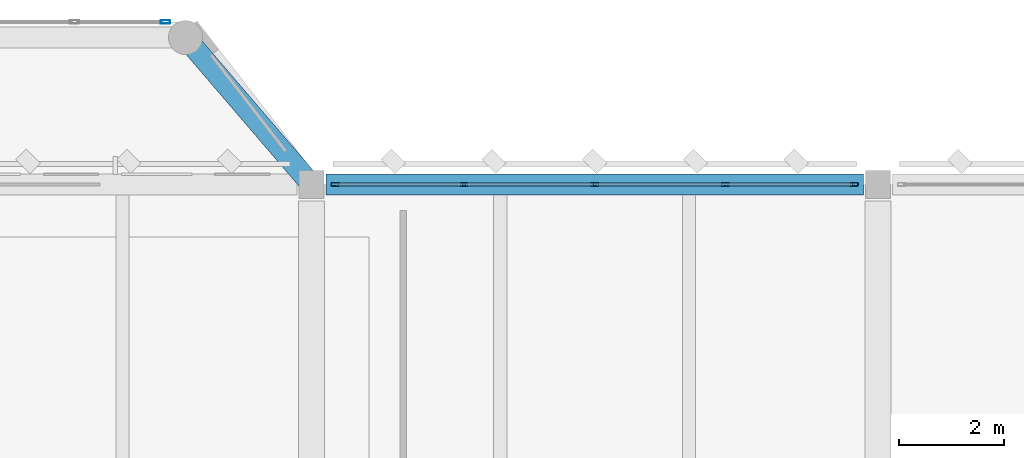
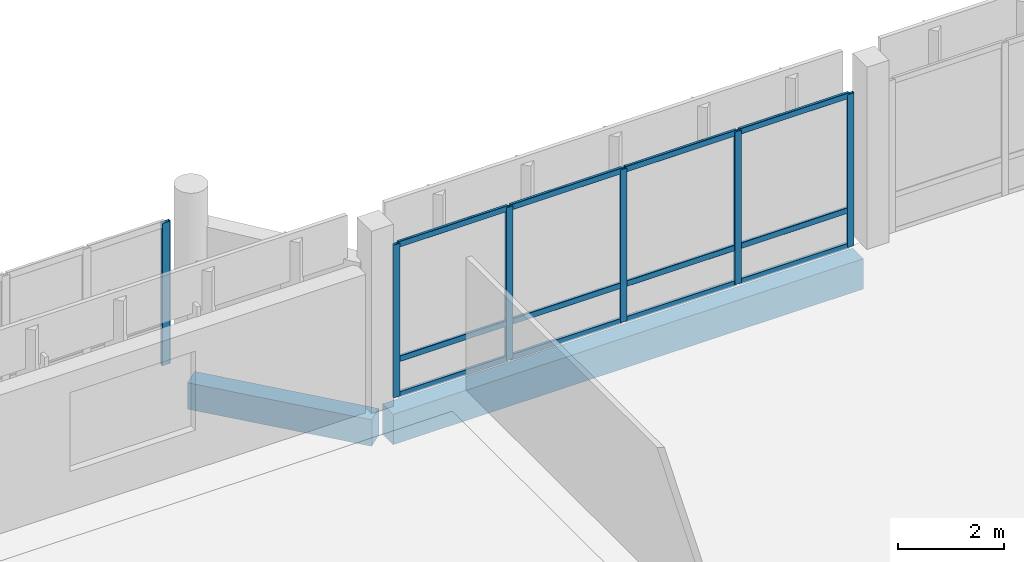
# One storey, part 28 of 72: 18 members, 2 beams, 2 elements without a shape of their own.
"""IFC4 building model written with IfcOpenShell, lengths in metres."""

from ifc_helpers import new_model, si_unit, direction, frame, origin, origin_2d, place, context, subcontext, project, spatial, rectangle, hollow_rectangle, extrude, material, material_profile, profile_set, type_object, element, aggregate, save


model = new_model("IFC4")

# Units and contexts
model_context = context("Model", 3, precision=1e-05, world=origin(), true_north=direction((0.0, 1.0)))
body_context = subcontext(model_context, "Body", "Model", "MODEL_VIEW")
ifc_project = project(units=[si_unit("LENGTHUNIT", "METRE"), si_unit("AREAUNIT", "SQUARE_METRE"), si_unit("VOLUMEUNIT", "CUBIC_METRE"), si_unit("PLANEANGLEUNIT", "RADIAN"), si_unit("MASSUNIT", "GRAM", prefix="KILO")], contexts=[model_context])

# Site, building, storey
site_placement = place(None, origin())
site = spatial("IfcSite", under=ifc_project, at=site_placement, CompositionType="ELEMENT")
building_placement = place(site_placement, origin())
building = spatial("IfcBuilding", under=site, at=building_placement, Name="Lusvemor Sports Hall", CompositionType="ELEMENT")
storey_placement = place(building_placement, frame((0.0, 0.0, 15.0)))
storey = spatial("IfcBuildingStorey", under=building, at=storey_placement, Name="L03", CompositionType="ELEMENT", Elevation=15.0)

# Curtain wall, member
ifc_material_1 = material(Name="Thermally broken bronze-anodized aluminium", Category="aluminium")
curtain_wall_type_1 = type_object("IfcCurtainWallType", Name="CW_FOYER_A", PredefinedType="NOTDEFINED", material=ifc_material_1)
curtain_wall_1_placement = place(storey_placement, origin())
curtain_wall_1 = element("IfcCurtainWall", 1, at=curtain_wall_1_placement, inside=storey, type_object=curtain_wall_type_1, Name="Curtain Wall CW-BOW-N1-L03-M", PredefinedType="NOTDEFINED")
ifc_material_2 = material(Name="Thermally broken bronze-anodized aluminium", Category="aluminium")
ifc_material_profile_1 = material_profile(ifc_material_2, hollow_rectangle(XDim=0.070068359375, YDim=0.179931640625, WallThickness=0.0048828125, InnerFilletRadius=0.0048828125, OuterFilletRadius=0.010009765625, at=origin_2d()), Name="CWMUL180x70x5")
ifc_profile_set_1 = profile_set([ifc_material_profile_1], Name="Thermally broken bronze-anodized aluminium")
member_type_1 = type_object("IfcMemberType", Name="CW_MUL_A", PredefinedType="MULLION", material=ifc_profile_set_1)
member_1_placement = place(storey_placement, frame((29.614990234375, 118.300048828125, 0.0), z_axis=(0.0, 0.0, 1.0), x_axis=(0.0, 1.0, 0.0)))
member_1 = element("IfcMember", 2, at=member_1_placement, type_object=member_type_1, Name="CW01 mullion 4", PredefinedType="MULLION", context=body_context, shape_type="SweptSolid", body=[
    extrude(hollow_rectangle(XDim=0.070068359375, YDim=0.179931640625, WallThickness=0.0048828125, InnerFilletRadius=0.0048828125, OuterFilletRadius=0.010009765625, at=origin_2d()), origin(), (0.0, 0.0, 1.0), 3.280029296875),
])
aggregate(curtain_wall_1, [member_1])

# Curtain wall, members
ifc_material_3 = material(Name="Thermally broken bronze-anodized aluminium", Category="aluminium")
curtain_wall_type_2 = type_object("IfcCurtainWallType", Name="CW_WING_B", PredefinedType="NOTDEFINED", material=ifc_material_3)
curtain_wall_2_placement = place(storey_placement, origin())
curtain_wall_2 = element("IfcCurtainWall", 3, at=curtain_wall_2_placement, inside=storey, type_object=curtain_wall_type_2, Name="Curtain Wall CW-L03-N-1-3", PredefinedType="NOTDEFINED")
ifc_material_4 = material(Name="Thermally broken bronze-anodized aluminium", Category="aluminium")
ifc_material_profile_2 = material_profile(ifc_material_4, hollow_rectangle(XDim=0.06494140625, YDim=0.14990234375, WallThickness=0.00390625, InnerFilletRadius=0.00390625, OuterFilletRadius=0.008056640625, at=origin_2d()), Name="CWMUL150x65x4")
ifc_profile_set_2 = profile_set([ifc_material_profile_2], Name="Thermally broken bronze-anodized aluminium")
member_type_2 = type_object("IfcMemberType", Name="CW_MUL_B", PredefinedType="MULLION", material=ifc_profile_set_2)
member_2_placement = place(storey_placement, frame((32.8525390625, 115.199951171875, 0.0), z_axis=(0.0, 0.0, 1.0), x_axis=(0.0, 1.0, 0.0)))
member_2 = element("IfcMember", 4, at=member_2_placement, type_object=member_type_2, Name="CW02 mullion 1", PredefinedType="MULLION", context=body_context, shape_type="SweptSolid", body=[
    extrude(hollow_rectangle(XDim=0.06494140625, YDim=0.14990234375, WallThickness=0.00390625, InnerFilletRadius=0.00390625, OuterFilletRadius=0.008056640625, at=origin_2d()), origin(), (0.0, 0.0, 1.0), 3.52001953125),
])
member_3_placement = place(storey_placement, frame((35.31005859375, 115.199951171875, 0.0), z_axis=(0.0, 0.0, 1.0), x_axis=(0.0, 1.0, 0.0)))
member_3 = element("IfcMember", 5, at=member_3_placement, type_object=member_type_2, Name="CW02 mullion 2", PredefinedType="MULLION", context=body_context, shape_type="SweptSolid", body=[
    extrude(hollow_rectangle(XDim=0.06494140625, YDim=0.14990234375, WallThickness=0.00390625, InnerFilletRadius=0.00390625, OuterFilletRadius=0.008056640625, at=origin_2d()), origin(), (0.0, 0.0, 1.0), 3.52001953125),
])
member_4_placement = place(storey_placement, frame((37.800048828125, 115.199951171875, 0.0), z_axis=(0.0, 0.0, 1.0), x_axis=(0.0, 1.0, 0.0)))
member_4 = element("IfcMember", 6, at=member_4_placement, type_object=member_type_2, Name="CW02 mullion 3", PredefinedType="MULLION", context=body_context, shape_type="SweptSolid", body=[
    extrude(hollow_rectangle(XDim=0.06494140625, YDim=0.14990234375, WallThickness=0.00390625, InnerFilletRadius=0.00390625, OuterFilletRadius=0.008056640625, at=origin_2d()), origin(), (0.0, 0.0, 1.0), 3.52001953125),
])
member_5_placement = place(storey_placement, frame((40.2900390625, 115.199951171875, 0.0), z_axis=(0.0, 0.0, 1.0), x_axis=(0.0, 1.0, 0.0)))
member_5 = element("IfcMember", 7, at=member_5_placement, type_object=member_type_2, Name="CW02 mullion 4", PredefinedType="MULLION", context=body_context, shape_type="SweptSolid", body=[
    extrude(hollow_rectangle(XDim=0.06494140625, YDim=0.14990234375, WallThickness=0.00390625, InnerFilletRadius=0.00390625, OuterFilletRadius=0.008056640625, at=origin_2d()), origin(), (0.0, 0.0, 1.0), 3.52001953125),
])
member_6_placement = place(storey_placement, frame((42.74755859375, 115.199951171875, 0.0), z_axis=(0.0, 0.0, 1.0), x_axis=(0.0, 1.0, 0.0)))
member_6 = element("IfcMember", 8, at=member_6_placement, type_object=member_type_2, Name="CW02 mullion 5", PredefinedType="MULLION", context=body_context, shape_type="SweptSolid", body=[
    extrude(hollow_rectangle(XDim=0.06494140625, YDim=0.14990234375, WallThickness=0.00390625, InnerFilletRadius=0.00390625, OuterFilletRadius=0.008056640625, at=origin_2d()), origin(), (0.0, 0.0, 1.0), 3.52001953125),
])
ifc_material_5 = material(Name="Thermally broken bronze-anodized aluminium", Category="aluminium")
ifc_material_profile_3 = material_profile(ifc_material_5, hollow_rectangle(XDim=0.06005859375, YDim=0.135009765625, WallThickness=0.00390625, InnerFilletRadius=0.00390625, OuterFilletRadius=0.008056640625, at=origin_2d()), Name="CWTRN135x60x4")
ifc_profile_set_3 = profile_set([ifc_material_profile_3], Name="Thermally broken bronze-anodized aluminium")
member_type_3 = type_object("IfcMemberType", Name="CW_TRN_B", PredefinedType="USERDEFINED", material=ifc_profile_set_3)
member_7_placement = place(storey_placement, frame((32.885009765625, 115.199951171875, 0.030029296875), z_axis=(1.0, 0.0, 0.0), x_axis=(0.0, 1.0, 0.0)))
member_7 = element("IfcMember", 9, at=member_7_placement, type_object=member_type_3, Name="CW02 transom 1.1", ObjectType="TRANSOM", PredefinedType="USERDEFINED", context=body_context, shape_type="SweptSolid", body=[
    extrude(hollow_rectangle(XDim=0.06005859375, YDim=0.135009765625, WallThickness=0.00390625, InnerFilletRadius=0.00390625, OuterFilletRadius=0.008056640625, at=origin_2d()), origin(), (0.0, 0.0, 1.0), 2.392578125),
])
member_8_placement = place(storey_placement, frame((32.885009765625, 115.199951171875, 0.85009765625), z_axis=(1.0, 0.0, 0.0), x_axis=(0.0, 1.0, 0.0)))
member_8 = element("IfcMember", 10, at=member_8_placement, type_object=member_type_3, Name="CW02 transom 1.2", ObjectType="TRANSOM", PredefinedType="USERDEFINED", context=body_context, shape_type="SweptSolid", body=[
    extrude(hollow_rectangle(XDim=0.06005859375, YDim=0.135009765625, WallThickness=0.00390625, InnerFilletRadius=0.00390625, OuterFilletRadius=0.008056640625, at=origin_2d()), origin(), (0.0, 0.0, 1.0), 2.392578125),
])
member_9_placement = place(storey_placement, frame((32.885009765625, 115.199951171875, 3.489990234375), z_axis=(1.0, 0.0, 0.0), x_axis=(0.0, 1.0, 0.0)))
member_9 = element("IfcMember", 11, at=member_9_placement, type_object=member_type_3, Name="CW02 transom 1.3", ObjectType="TRANSOM", PredefinedType="USERDEFINED", context=body_context, shape_type="SweptSolid", body=[
    extrude(hollow_rectangle(XDim=0.06005859375, YDim=0.135009765625, WallThickness=0.00390625, InnerFilletRadius=0.00390625, OuterFilletRadius=0.008056640625, at=origin_2d()), origin(), (0.0, 0.0, 1.0), 2.392578125),
])
member_10_placement = place(storey_placement, frame((35.342529296875, 115.199951171875, 0.030029296875), z_axis=(1.0, 0.0, 0.0), x_axis=(0.0, 1.0, 0.0)))
member_10 = element("IfcMember", 12, at=member_10_placement, type_object=member_type_3, Name="CW02 transom 2.1", ObjectType="TRANSOM", PredefinedType="USERDEFINED", context=body_context, shape_type="SweptSolid", body=[
    extrude(hollow_rectangle(XDim=0.06005859375, YDim=0.135009765625, WallThickness=0.00390625, InnerFilletRadius=0.00390625, OuterFilletRadius=0.008056640625, at=origin_2d()), origin(), (0.0, 0.0, 1.0), 2.425048828125),
])
member_11_placement = place(storey_placement, frame((35.342529296875, 115.199951171875, 0.85009765625), z_axis=(1.0, 0.0, 0.0), x_axis=(0.0, 1.0, 0.0)))
member_11 = element("IfcMember", 13, at=member_11_placement, type_object=member_type_3, Name="CW02 transom 2.2", ObjectType="TRANSOM", PredefinedType="USERDEFINED", context=body_context, shape_type="SweptSolid", body=[
    extrude(hollow_rectangle(XDim=0.06005859375, YDim=0.135009765625, WallThickness=0.00390625, InnerFilletRadius=0.00390625, OuterFilletRadius=0.008056640625, at=origin_2d()), origin(), (0.0, 0.0, 1.0), 2.425048828125),
])
member_12_placement = place(storey_placement, frame((35.342529296875, 115.199951171875, 3.489990234375), z_axis=(1.0, 0.0, 0.0), x_axis=(0.0, 1.0, 0.0)))
member_12 = element("IfcMember", 14, at=member_12_placement, type_object=member_type_3, Name="CW02 transom 2.3", ObjectType="TRANSOM", PredefinedType="USERDEFINED", context=body_context, shape_type="SweptSolid", body=[
    extrude(hollow_rectangle(XDim=0.06005859375, YDim=0.135009765625, WallThickness=0.00390625, InnerFilletRadius=0.00390625, OuterFilletRadius=0.008056640625, at=origin_2d()), origin(), (0.0, 0.0, 1.0), 2.425048828125),
])
member_13_placement = place(storey_placement, frame((37.83251953125, 115.199951171875, 0.030029296875), z_axis=(1.0, 0.0, 0.0), x_axis=(0.0, 1.0, 0.0)))
member_13 = element("IfcMember", 15, at=member_13_placement, type_object=member_type_3, Name="CW02 transom 3.1", ObjectType="TRANSOM", PredefinedType="USERDEFINED", context=body_context, shape_type="SweptSolid", body=[
    extrude(hollow_rectangle(XDim=0.06005859375, YDim=0.135009765625, WallThickness=0.00390625, InnerFilletRadius=0.00390625, OuterFilletRadius=0.008056640625, at=origin_2d()), origin(), (0.0, 0.0, 1.0), 2.425048828125),
])
member_14_placement = place(storey_placement, frame((37.83251953125, 115.199951171875, 0.85009765625), z_axis=(1.0, 0.0, 0.0), x_axis=(0.0, 1.0, 0.0)))
member_14 = element("IfcMember", 16, at=member_14_placement, type_object=member_type_3, Name="CW02 transom 3.2", ObjectType="TRANSOM", PredefinedType="USERDEFINED", context=body_context, shape_type="SweptSolid", body=[
    extrude(hollow_rectangle(XDim=0.06005859375, YDim=0.135009765625, WallThickness=0.00390625, InnerFilletRadius=0.00390625, OuterFilletRadius=0.008056640625, at=origin_2d()), origin(), (0.0, 0.0, 1.0), 2.425048828125),
])
member_15_placement = place(storey_placement, frame((37.83251953125, 115.199951171875, 3.489990234375), z_axis=(1.0, 0.0, 0.0), x_axis=(0.0, 1.0, 0.0)))
member_15 = element("IfcMember", 17, at=member_15_placement, type_object=member_type_3, Name="CW02 transom 3.3", ObjectType="TRANSOM", PredefinedType="USERDEFINED", context=body_context, shape_type="SweptSolid", body=[
    extrude(hollow_rectangle(XDim=0.06005859375, YDim=0.135009765625, WallThickness=0.00390625, InnerFilletRadius=0.00390625, OuterFilletRadius=0.008056640625, at=origin_2d()), origin(), (0.0, 0.0, 1.0), 2.425048828125),
])
member_16_placement = place(storey_placement, frame((40.322509765625, 115.199951171875, 0.030029296875), z_axis=(1.0, 0.0, 0.0), x_axis=(0.0, 1.0, 0.0)))
member_16 = element("IfcMember", 18, at=member_16_placement, type_object=member_type_3, Name="CW02 transom 4.1", ObjectType="TRANSOM", PredefinedType="USERDEFINED", context=body_context, shape_type="SweptSolid", body=[
    extrude(hollow_rectangle(XDim=0.06005859375, YDim=0.135009765625, WallThickness=0.00390625, InnerFilletRadius=0.00390625, OuterFilletRadius=0.008056640625, at=origin_2d()), origin(), (0.0, 0.0, 1.0), 2.392578125),
])
member_17_placement = place(storey_placement, frame((40.322509765625, 115.199951171875, 0.85009765625), z_axis=(1.0, 0.0, 0.0), x_axis=(0.0, 1.0, 0.0)))
member_17 = element("IfcMember", 19, at=member_17_placement, type_object=member_type_3, Name="CW02 transom 4.2", ObjectType="TRANSOM", PredefinedType="USERDEFINED", context=body_context, shape_type="SweptSolid", body=[
    extrude(hollow_rectangle(XDim=0.06005859375, YDim=0.135009765625, WallThickness=0.00390625, InnerFilletRadius=0.00390625, OuterFilletRadius=0.008056640625, at=origin_2d()), origin(), (0.0, 0.0, 1.0), 2.392578125),
])
member_18_placement = place(storey_placement, frame((40.322509765625, 115.199951171875, 3.489990234375), z_axis=(1.0, 0.0, 0.0), x_axis=(0.0, 1.0, 0.0)))
member_18 = element("IfcMember", 20, at=member_18_placement, type_object=member_type_3, Name="CW02 transom 4.3", ObjectType="TRANSOM", PredefinedType="USERDEFINED", context=body_context, shape_type="SweptSolid", body=[
    extrude(hollow_rectangle(XDim=0.06005859375, YDim=0.135009765625, WallThickness=0.00390625, InnerFilletRadius=0.00390625, OuterFilletRadius=0.008056640625, at=origin_2d()), origin(), (0.0, 0.0, 1.0), 2.392578125),
])
aggregate(curtain_wall_2, [member_2, member_3, member_4, member_5, member_6, member_7, member_8, member_9, member_10, member_11, member_12, member_13, member_14, member_15, member_16, member_17, member_18])

# Beams
ifc_material_6 = material(Name="Concrete C40/50", Category="concrete")
ifc_material_profile_4 = material_profile(ifc_material_6, rectangle(XDim=0.39990234375, YDim=0.610107421875, at=origin_2d()), Name="RC400x610")
ifc_profile_set_4 = profile_set([ifc_material_profile_4], Name="Concrete C40/50")
beam_type_1 = type_object("IfcBeamType", Name="SPAND_EXT_650", PredefinedType="SPANDREL", material=ifc_profile_set_4)
beam_1_placement = place(storey_placement, frame((30.0, 118.0, -0.56494140625), z_axis=(0.650769565339, -0.759275294494, 0.0), x_axis=(0.759275294494, 0.650769565339, 0.0)))
element("IfcBeam", 21, at=beam_1_placement, inside=storey, type_object=beam_type_1, Name="Bow Pavilion Edge Beam BOW-N1 L03-3", PredefinedType="SPANDREL", context=body_context, shape_type="SweptSolid", body=[
    extrude(rectangle(XDim=0.39990234375, YDim=0.610107421875, at=origin_2d()), origin(), (0.0, 0.0, 1.0), 3.687744140625),
])
ifc_material_7 = material(Name="Concrete C40/50", Category="concrete")
ifc_material_profile_5 = material_profile(ifc_material_7, rectangle(XDim=0.39990234375, YDim=0.699951171875, at=origin_2d()), Name="RC400x700")
ifc_profile_set_5 = profile_set([ifc_material_profile_5], Name="Concrete C40/50")
beam_type_2 = type_object("IfcBeamType", Name="SPAND_EXT_700", PredefinedType="SPANDREL", material=ifc_profile_set_5)
beam_2_placement = place(storey_placement, frame((32.676025390625, 115.199951171875, -0.590087890625), z_axis=(1.0, 0.0, 0.0), x_axis=(0.0, 1.0, 0.0)))
element("IfcBeam", 22, at=beam_2_placement, inside=storey, type_object=beam_type_2, Name="Beam L03 Q:4-5", PredefinedType="SPANDREL", context=body_context, shape_type="SweptSolid", body=[
    extrude(rectangle(XDim=0.39990234375, YDim=0.699951171875, at=origin_2d()), origin(), (0.0, 0.0, 1.0), 10.248046875),
])

save(model, "model.ifc")
